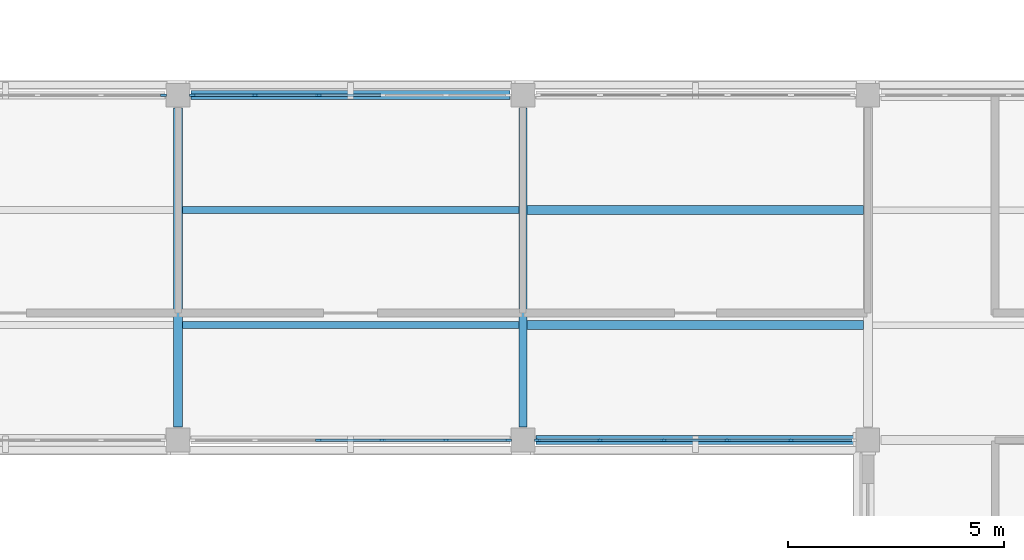
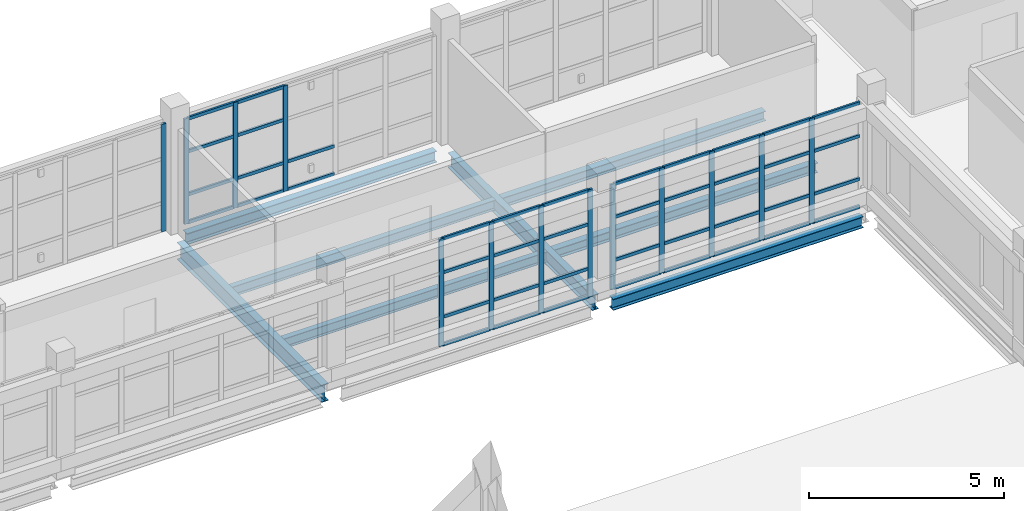
# One storey, part 45 of 107: 55 members, 8 beams, 4 elements without a shape of their own.
"""IFC4 building model written with IfcOpenShell, lengths in metres."""

from ifc_helpers import new_model, si_unit, derived_unit, direction, frame, origin, origin_2d, place, context, subcontext, project, spatial, rectangle, i_section, extrude, material, layer, layer_set, material_profile, profile_set, type_object, element, aggregate, save


model = new_model("IFC4")

# Units and contexts
model_context = context("Model", 3, precision=1e-05, world=origin(), true_north=direction((0.0, 1.0)))
body_context = subcontext(model_context, "Body", "Model", "MODEL_VIEW")
ifc_project = project(units=[si_unit("LENGTHUNIT", "METRE"), si_unit("AREAUNIT", "SQUARE_METRE"), si_unit("VOLUMEUNIT", "CUBIC_METRE"), si_unit("PLANEANGLEUNIT", "RADIAN"), si_unit("MASSUNIT", "GRAM", prefix="KILO"), derived_unit("THERMALTRANSMITTANCEUNIT", [(si_unit("MASSUNIT", "GRAM", prefix="KILO"), 1), (si_unit("TIMEUNIT", "SECOND"), -3), (si_unit("THERMODYNAMICTEMPERATUREUNIT", "KELVIN"), -1)])], contexts=[model_context])

# Site, building, storey
site_placement = place(None, origin())
site = spatial("IfcSite", under=ifc_project, at=site_placement, CompositionType="ELEMENT")
building_placement = place(site_placement, origin())
building = spatial("IfcBuilding", under=site, at=building_placement, Name="Veyamyaing Civic Hall", CompositionType="ELEMENT")
storey_placement = place(building_placement, frame((0.0, 0.0, 13.860107421875)))
storey = spatial("IfcBuildingStorey", under=building, at=storey_placement, Name="L03", CompositionType="ELEMENT", Elevation=13.860107421875)

# Beams
ifc_material_1 = material(Name="Steel ASTM A992", Category="steel")
ifc_material_profile_1 = material_profile(ifc_material_1, i_section(OverallWidth=0.208984375, OverallDepth=0.532958984375, WebThickness=0.01025390625, FlangeThickness=0.015625, FilletRadius=0.011962890625, at=origin_2d()), Name="W530X92")
ifc_profile_set_1 = profile_set([ifc_material_profile_1], Name="Steel ASTM A992")
beam_type_1 = type_object("IfcBeamType", Name="B-07", PredefinedType="BEAM", material=ifc_profile_set_1)
beam_1_placement = place(storey_placement, frame((144.0, 48.300048828125, -0.521728515625), z_axis=(0.0, 1.0, 0.0), x_axis=(-1.0, 0.0, 0.0)))
element("IfcBeam", 1, at=beam_1_placement, inside=storey, type_object=beam_type_1, Name="Girder B-07 L03 Grid 19 G-H", PredefinedType="BEAM", context=body_context, shape_type="SweptSolid", body=[
    extrude(i_section(OverallWidth=0.208984375, OverallDepth=0.532958984375, WebThickness=0.01025390625, FlangeThickness=0.015625, FilletRadius=0.011962890625, at=origin_2d()), origin(), (0.0, 0.0, 1.0), 7.39990234375),
])
ifc_material_profile_2 = material_profile(ifc_material_1, i_section(OverallWidth=0.19189453125, OverallDepth=0.462890625, WebThickness=0.010498046875, FlangeThickness=0.017578125, FilletRadius=0.010009765625, at=origin_2d()), Name="W460X89")
ifc_profile_set_2 = profile_set([ifc_material_profile_2], Name="Steel ASTM A992")
beam_type_2 = type_object("IfcBeamType", Name="B-08", PredefinedType="BEAM", material=ifc_profile_set_2)
beam_2_placement = place(storey_placement, frame((152.0, 48.300048828125, -0.486572265625), z_axis=(0.0, 1.0, 0.0), x_axis=(-1.0, 0.0, 0.0)))
element("IfcBeam", 2, at=beam_2_placement, inside=storey, type_object=beam_type_2, Name="Girder B-08 L03 Grid 20 G-H", PredefinedType="BEAM", context=body_context, shape_type="SweptSolid", body=[
    extrude(i_section(OverallWidth=0.19189453125, OverallDepth=0.462890625, WebThickness=0.010498046875, FlangeThickness=0.017578125, FilletRadius=0.010009765625, at=origin_2d()), origin(), (0.0, 0.0, 1.0), 7.39990234375),
])
ifc_material_profile_3 = material_profile(ifc_material_1, i_section(OverallWidth=0.2041015625, OverallDepth=0.35009765625, WebThickness=0.0078125, FlangeThickness=0.01513671875, FilletRadius=0.010009765625, at=origin_2d()), Name="W360X72")
ifc_profile_set_3 = profile_set([ifc_material_profile_3], Name="Steel ASTM A992")
beam_type_3 = type_object("IfcBeamType", Name="B-11", PredefinedType="SPANDREL", material=ifc_profile_set_3)
for number, where, z_axis, x_axis, name in (
    (3, (152.300048828125, 48.0, -0.43017578125), (1.0, 0.0, 0.0), (0.0, 1.0, 0.0), "Girder B-11 L03 Grid G 20-21"),
    (4, (144.300048828125, 56.0, -0.43017578125), (1.0, 0.0, 0.0), (0.0, 1.0, 0.0), "Girder B-11 L03 Grid H 19-20"),
):
    element("IfcBeam", number, at=place(storey_placement, frame(where, z_axis=z_axis, x_axis=x_axis)), inside=storey, type_object=beam_type_3, Name=name, PredefinedType="SPANDREL", context=body_context, shape_type="SweptSolid", body=[
        extrude(i_section(OverallWidth=0.2041015625, OverallDepth=0.35009765625, WebThickness=0.0078125, FlangeThickness=0.01513671875, FilletRadius=0.010009765625, at=origin_2d()), origin(), (0.0, 0.0, 1.0), 7.39990234375),
    ])

# Curtain wall, member
ifc_material_2 = material(Name="Anodised aluminium 6063-T6", Category="aluminium")
ifc_layer = layer(ifc_material_2, 0.139892578125, Name="Anodised aluminium 6063-T6")
ifc_layer_set = layer_set([ifc_layer], Name="Anodised aluminium 6063-T6")
curtain_wall_type = type_object("IfcCurtainWallType", Name="CW-04", PredefinedType="NOTDEFINED", material=ifc_layer_set)
curtain_wall_1_placement = place(storey_placement, origin())
curtain_wall_1 = element("IfcCurtainWall", 5, at=curtain_wall_1_placement, inside=storey, type_object=curtain_wall_type, Name="Unitized curtain wall CW-04 L03 N 18.7", PredefinedType="NOTDEFINED")
ifc_material_profile_4 = material_profile(ifc_material_2, rectangle(XDim=0.06005859375, YDim=0.139892578125, at=origin_2d()), Name="ALU-MUL-60X140")
ifc_profile_set_4 = profile_set([ifc_material_profile_4], Name="Anodised aluminium 6063-T6")
member_type_1 = type_object("IfcMemberType", Name="CWM-03", PredefinedType="MULLION", material=ifc_profile_set_4)
member_1_placement = place(storey_placement, frame((143.6650390625, 56.0, 0.0), z_axis=(0.0, 0.0, 1.0), x_axis=(0.0, 1.0, 0.0)))
member_1 = element("IfcMember", 6, at=member_1_placement, type_object=member_type_1, Name="CW-04 mullion 6", PredefinedType="MULLION", context=body_context, shape_type="SweptSolid", body=[
    extrude(rectangle(XDim=0.06005859375, YDim=0.139892578125, at=origin_2d()), origin(), (0.0, 0.0, 1.0), 3.366943359375),
])
aggregate(curtain_wall_1, [member_1])

# Curtain wall, members
curtain_wall_2_placement = place(storey_placement, origin())
curtain_wall_2 = element("IfcCurtainWall", 7, at=curtain_wall_2_placement, inside=storey, type_object=curtain_wall_type, Name="Unitized curtain wall CW-04 L03 S 19.7", PredefinedType="NOTDEFINED")
member_2_placement = place(storey_placement, frame((147.260986328125, 48.0, 0.0), z_axis=(0.0, 0.0, 1.0), x_axis=(0.0, 1.0, 0.0)))
member_2 = element("IfcMember", 8, at=member_2_placement, type_object=member_type_1, Name="CW-04 mullion 3", PredefinedType="MULLION", context=body_context, shape_type="SweptSolid", body=[
    extrude(rectangle(XDim=0.06005859375, YDim=0.139892578125, at=origin_2d()), origin(), (0.0, 0.0, 1.0), 3.366943359375),
])
member_3_placement = place(storey_placement, frame((148.739013671875, 48.0, 0.0), z_axis=(0.0, 0.0, 1.0), x_axis=(0.0, 1.0, 0.0)))
member_3 = element("IfcMember", 9, at=member_3_placement, type_object=member_type_1, Name="CW-04 mullion 4", PredefinedType="MULLION", context=body_context, shape_type="SweptSolid", body=[
    extrude(rectangle(XDim=0.06005859375, YDim=0.139892578125, at=origin_2d()), origin(), (0.0, 0.0, 1.0), 3.366943359375),
])
member_4_placement = place(storey_placement, frame((150.217041015625, 48.0, 0.0), z_axis=(0.0, 0.0, 1.0), x_axis=(0.0, 1.0, 0.0)))
member_4 = element("IfcMember", 10, at=member_4_placement, type_object=member_type_1, Name="CW-04 mullion 5", PredefinedType="MULLION", context=body_context, shape_type="SweptSolid", body=[
    extrude(rectangle(XDim=0.06005859375, YDim=0.139892578125, at=origin_2d()), origin(), (0.0, 0.0, 1.0), 3.366943359375),
])
member_5_placement = place(storey_placement, frame((151.6650390625, 48.0, 0.0), z_axis=(0.0, 0.0, 1.0), x_axis=(0.0, 1.0, 0.0)))
member_5 = element("IfcMember", 11, at=member_5_placement, type_object=member_type_1, Name="CW-04 mullion 6", PredefinedType="MULLION", context=body_context, shape_type="SweptSolid", body=[
    extrude(rectangle(XDim=0.06005859375, YDim=0.139892578125, at=origin_2d()), origin(), (0.0, 0.0, 1.0), 3.366943359375),
])

curtain_wall_3_placement = place(storey_placement, origin())
curtain_wall_3 = element("IfcCurtainWall", 12, at=curtain_wall_3_placement, inside=storey, type_object=curtain_wall_type, Name="Unitized curtain wall CW-04 L03 N 19.7", PredefinedType="NOTDEFINED")
member_6_placement = place(storey_placement, frame((144.3349609375, 56.0, 0.0), z_axis=(0.0, 0.0, 1.0), x_axis=(0.0, 1.0, 0.0)))
member_6 = element("IfcMember", 13, at=member_6_placement, type_object=member_type_1, Name="CW-04 mullion 1", PredefinedType="MULLION", context=body_context, shape_type="SweptSolid", body=[
    extrude(rectangle(XDim=0.06005859375, YDim=0.139892578125, at=origin_2d()), origin(), (0.0, 0.0, 1.0), 3.2998046875),
])
member_7_placement = place(storey_placement, frame((145.782958984375, 56.0, 0.0), z_axis=(0.0, 0.0, 1.0), x_axis=(0.0, 1.0, 0.0)))
member_7 = element("IfcMember", 14, at=member_7_placement, type_object=member_type_1, Name="CW-04 mullion 2", PredefinedType="MULLION", context=body_context, shape_type="SweptSolid", body=[
    extrude(rectangle(XDim=0.06005859375, YDim=0.139892578125, at=origin_2d()), origin(), (0.0, 0.0, 1.0), 3.2998046875),
])
member_8_placement = place(storey_placement, frame((147.260986328125, 56.0, 0.0), z_axis=(0.0, 0.0, 1.0), x_axis=(0.0, 1.0, 0.0)))
member_8 = element("IfcMember", 15, at=member_8_placement, type_object=member_type_1, Name="CW-04 mullion 3", PredefinedType="MULLION", context=body_context, shape_type="SweptSolid", body=[
    extrude(rectangle(XDim=0.06005859375, YDim=0.139892578125, at=origin_2d()), origin(), (0.0, 0.0, 1.0), 3.2998046875),
])

curtain_wall_4_placement = place(storey_placement, origin())
curtain_wall_4 = element("IfcCurtainWall", 16, at=curtain_wall_4_placement, inside=storey, type_object=curtain_wall_type, Name="Unitized curtain wall CW-04 L03 S 20.7", PredefinedType="NOTDEFINED")
member_9_placement = place(storey_placement, frame((152.3349609375, 48.0, 0.0), z_axis=(0.0, 0.0, 1.0), x_axis=(0.0, 1.0, 0.0)))
member_9 = element("IfcMember", 17, at=member_9_placement, type_object=member_type_1, Name="CW-04 mullion 1", PredefinedType="MULLION", context=body_context, shape_type="SweptSolid", body=[
    extrude(rectangle(XDim=0.06005859375, YDim=0.139892578125, at=origin_2d()), origin(), (0.0, 0.0, 1.0), 3.2998046875),
])
member_10_placement = place(storey_placement, frame((153.782958984375, 48.0, 0.0), z_axis=(0.0, 0.0, 1.0), x_axis=(0.0, 1.0, 0.0)))
member_10 = element("IfcMember", 18, at=member_10_placement, type_object=member_type_1, Name="CW-04 mullion 2", PredefinedType="MULLION", context=body_context, shape_type="SweptSolid", body=[
    extrude(rectangle(XDim=0.06005859375, YDim=0.139892578125, at=origin_2d()), origin(), (0.0, 0.0, 1.0), 3.2998046875),
])
member_11_placement = place(storey_placement, frame((155.260986328125, 48.0, 0.0), z_axis=(0.0, 0.0, 1.0), x_axis=(0.0, 1.0, 0.0)))
member_11 = element("IfcMember", 19, at=member_11_placement, type_object=member_type_1, Name="CW-04 mullion 3", PredefinedType="MULLION", context=body_context, shape_type="SweptSolid", body=[
    extrude(rectangle(XDim=0.06005859375, YDim=0.139892578125, at=origin_2d()), origin(), (0.0, 0.0, 1.0), 3.2998046875),
])
member_12_placement = place(storey_placement, frame((156.739013671875, 48.0, 0.0), z_axis=(0.0, 0.0, 1.0), x_axis=(0.0, 1.0, 0.0)))
member_12 = element("IfcMember", 20, at=member_12_placement, type_object=member_type_1, Name="CW-04 mullion 4", PredefinedType="MULLION", context=body_context, shape_type="SweptSolid", body=[
    extrude(rectangle(XDim=0.06005859375, YDim=0.139892578125, at=origin_2d()), origin(), (0.0, 0.0, 1.0), 3.2998046875),
])
member_13_placement = place(storey_placement, frame((158.217041015625, 48.0, 0.0), z_axis=(0.0, 0.0, 1.0), x_axis=(0.0, 1.0, 0.0)))
member_13 = element("IfcMember", 21, at=member_13_placement, type_object=member_type_1, Name="CW-04 mullion 5", PredefinedType="MULLION", context=body_context, shape_type="SweptSolid", body=[
    extrude(rectangle(XDim=0.06005859375, YDim=0.139892578125, at=origin_2d()), origin(), (0.0, 0.0, 1.0), 3.2998046875),
])

# Member
ifc_material_profile_5 = material_profile(ifc_material_2, rectangle(XDim=0.06005859375, YDim=0.10009765625, at=origin_2d()), Name="ALU-TRN-60X100")
ifc_profile_set_5 = profile_set([ifc_material_profile_5], Name="Anodised aluminium 6063-T6")
member_type_2 = type_object("IfcMemberType", Name="CWT-03", PredefinedType="USERDEFINED", material=ifc_profile_set_5)
member_14_placement = place(storey_placement, frame((147.291015625, 48.0, 0.02978515625), z_axis=(1.0, 0.0, 0.0), x_axis=(0.0, 1.0, 0.0)))
member_14 = element("IfcMember", 22, at=member_14_placement, type_object=member_type_2, Name="CW-04 transom 3.1", ObjectType="TRANSOM", PredefinedType="USERDEFINED", context=body_context, shape_type="SweptSolid", body=[
    extrude(rectangle(XDim=0.06005859375, YDim=0.10009765625, at=origin_2d()), origin(), (0.0, 0.0, 1.0), 1.41796875),
])

member_15_placement = place(storey_placement, frame((147.291015625, 48.0, 0.89990234375), z_axis=(1.0, 0.0, 0.0), x_axis=(0.0, 1.0, 0.0)))
member_15 = element("IfcMember", 23, at=member_15_placement, type_object=member_type_2, Name="CW-04 transom 3.2", ObjectType="TRANSOM", PredefinedType="USERDEFINED", context=body_context, shape_type="SweptSolid", body=[
    extrude(rectangle(XDim=0.06005859375, YDim=0.10009765625, at=origin_2d()), origin(), (0.0, 0.0, 1.0), 1.41796875),
])

member_16_placement = place(storey_placement, frame((147.291015625, 48.0, 2.28955078125), z_axis=(1.0, 0.0, 0.0), x_axis=(0.0, 1.0, 0.0)))
member_16 = element("IfcMember", 24, at=member_16_placement, type_object=member_type_2, Name="CW-04 transom 3.3", ObjectType="TRANSOM", PredefinedType="USERDEFINED", context=body_context, shape_type="SweptSolid", body=[
    extrude(rectangle(XDim=0.06005859375, YDim=0.10009765625, at=origin_2d()), origin(), (0.0, 0.0, 1.0), 1.41796875),
])

member_17_placement = place(storey_placement, frame((147.291015625, 48.0, 3.3369140625), z_axis=(1.0, 0.0, 0.0), x_axis=(0.0, 1.0, 0.0)))
member_17 = element("IfcMember", 25, at=member_17_placement, type_object=member_type_2, Name="CW-04 transom 3.4", ObjectType="TRANSOM", PredefinedType="USERDEFINED", context=body_context, shape_type="SweptSolid", body=[
    extrude(rectangle(XDim=0.06005859375, YDim=0.10009765625, at=origin_2d()), origin(), (0.0, 0.0, 1.0), 1.41796875),
])

member_18_placement = place(storey_placement, frame((148.76904296875, 48.0, 0.02978515625), z_axis=(1.0, 0.0, 0.0), x_axis=(0.0, 1.0, 0.0)))
member_18 = element("IfcMember", 26, at=member_18_placement, type_object=member_type_2, Name="CW-04 transom 4.1", ObjectType="TRANSOM", PredefinedType="USERDEFINED", context=body_context, shape_type="SweptSolid", body=[
    extrude(rectangle(XDim=0.06005859375, YDim=0.10009765625, at=origin_2d()), origin(), (0.0, 0.0, 1.0), 1.41796875),
])

member_19_placement = place(storey_placement, frame((148.76904296875, 48.0, 0.89990234375), z_axis=(1.0, 0.0, 0.0), x_axis=(0.0, 1.0, 0.0)))
member_19 = element("IfcMember", 27, at=member_19_placement, type_object=member_type_2, Name="CW-04 transom 4.2", ObjectType="TRANSOM", PredefinedType="USERDEFINED", context=body_context, shape_type="SweptSolid", body=[
    extrude(rectangle(XDim=0.06005859375, YDim=0.10009765625, at=origin_2d()), origin(), (0.0, 0.0, 1.0), 1.41796875),
])

member_20_placement = place(storey_placement, frame((148.76904296875, 48.0, 2.28955078125), z_axis=(1.0, 0.0, 0.0), x_axis=(0.0, 1.0, 0.0)))
member_20 = element("IfcMember", 28, at=member_20_placement, type_object=member_type_2, Name="CW-04 transom 4.3", ObjectType="TRANSOM", PredefinedType="USERDEFINED", context=body_context, shape_type="SweptSolid", body=[
    extrude(rectangle(XDim=0.06005859375, YDim=0.10009765625, at=origin_2d()), origin(), (0.0, 0.0, 1.0), 1.41796875),
])

member_21_placement = place(storey_placement, frame((148.76904296875, 48.0, 3.3369140625), z_axis=(1.0, 0.0, 0.0), x_axis=(0.0, 1.0, 0.0)))
member_21 = element("IfcMember", 29, at=member_21_placement, type_object=member_type_2, Name="CW-04 transom 4.4", ObjectType="TRANSOM", PredefinedType="USERDEFINED", context=body_context, shape_type="SweptSolid", body=[
    extrude(rectangle(XDim=0.06005859375, YDim=0.10009765625, at=origin_2d()), origin(), (0.0, 0.0, 1.0), 1.41796875),
])

member_22_placement = place(storey_placement, frame((150.2470703125, 48.0, 0.02978515625), z_axis=(1.0, 0.0, 0.0), x_axis=(0.0, 1.0, 0.0)))
member_22 = element("IfcMember", 30, at=member_22_placement, type_object=member_type_2, Name="CW-04 transom 5.1", ObjectType="TRANSOM", PredefinedType="USERDEFINED", context=body_context, shape_type="SweptSolid", body=[
    extrude(rectangle(XDim=0.06005859375, YDim=0.10009765625, at=origin_2d()), origin(), (0.0, 0.0, 1.0), 1.387939453125),
])

member_23_placement = place(storey_placement, frame((150.2470703125, 48.0, 0.89990234375), z_axis=(1.0, 0.0, 0.0), x_axis=(0.0, 1.0, 0.0)))
member_23 = element("IfcMember", 31, at=member_23_placement, type_object=member_type_2, Name="CW-04 transom 5.2", ObjectType="TRANSOM", PredefinedType="USERDEFINED", context=body_context, shape_type="SweptSolid", body=[
    extrude(rectangle(XDim=0.06005859375, YDim=0.10009765625, at=origin_2d()), origin(), (0.0, 0.0, 1.0), 1.387939453125),
])

member_24_placement = place(storey_placement, frame((150.2470703125, 48.0, 2.28955078125), z_axis=(1.0, 0.0, 0.0), x_axis=(0.0, 1.0, 0.0)))
member_24 = element("IfcMember", 32, at=member_24_placement, type_object=member_type_2, Name="CW-04 transom 5.3", ObjectType="TRANSOM", PredefinedType="USERDEFINED", context=body_context, shape_type="SweptSolid", body=[
    extrude(rectangle(XDim=0.06005859375, YDim=0.10009765625, at=origin_2d()), origin(), (0.0, 0.0, 1.0), 1.387939453125),
])

member_25_placement = place(storey_placement, frame((150.2470703125, 48.0, 3.3369140625), z_axis=(1.0, 0.0, 0.0), x_axis=(0.0, 1.0, 0.0)))
member_25 = element("IfcMember", 33, at=member_25_placement, type_object=member_type_2, Name="CW-04 transom 5.4", ObjectType="TRANSOM", PredefinedType="USERDEFINED", context=body_context, shape_type="SweptSolid", body=[
    extrude(rectangle(XDim=0.06005859375, YDim=0.10009765625, at=origin_2d()), origin(), (0.0, 0.0, 1.0), 1.387939453125),
])

aggregate(curtain_wall_2, [member_2, member_3, member_4, member_5, member_14, member_15, member_16, member_17, member_18, member_19, member_20, member_21, member_22, member_23, member_24, member_25])

member_26_placement = place(storey_placement, frame((144.364990234375, 56.0, 0.02978515625), z_axis=(1.0, 0.0, 0.0), x_axis=(0.0, 1.0, 0.0)))
member_26 = element("IfcMember", 34, at=member_26_placement, type_object=member_type_2, Name="CW-04 transom 1.1", ObjectType="TRANSOM", PredefinedType="USERDEFINED", context=body_context, shape_type="SweptSolid", body=[
    extrude(rectangle(XDim=0.06005859375, YDim=0.10009765625, at=origin_2d()), origin(), (0.0, 0.0, 1.0), 1.387939453125),
])

member_27_placement = place(storey_placement, frame((144.364990234375, 56.0, 0.89990234375), z_axis=(1.0, 0.0, 0.0), x_axis=(0.0, 1.0, 0.0)))
member_27 = element("IfcMember", 35, at=member_27_placement, type_object=member_type_2, Name="CW-04 transom 1.2", ObjectType="TRANSOM", PredefinedType="USERDEFINED", context=body_context, shape_type="SweptSolid", body=[
    extrude(rectangle(XDim=0.06005859375, YDim=0.10009765625, at=origin_2d()), origin(), (0.0, 0.0, 1.0), 1.387939453125),
])

member_28_placement = place(storey_placement, frame((144.364990234375, 56.0, 2.243896484375), z_axis=(1.0, 0.0, 0.0), x_axis=(0.0, 1.0, 0.0)))
member_28 = element("IfcMember", 36, at=member_28_placement, type_object=member_type_2, Name="CW-04 transom 1.3", ObjectType="TRANSOM", PredefinedType="USERDEFINED", context=body_context, shape_type="SweptSolid", body=[
    extrude(rectangle(XDim=0.06005859375, YDim=0.10009765625, at=origin_2d()), origin(), (0.0, 0.0, 1.0), 1.387939453125),
])

member_29_placement = place(storey_placement, frame((144.364990234375, 56.0, 3.269775390625), z_axis=(1.0, 0.0, 0.0), x_axis=(0.0, 1.0, 0.0)))
member_29 = element("IfcMember", 37, at=member_29_placement, type_object=member_type_2, Name="CW-04 transom 1.4", ObjectType="TRANSOM", PredefinedType="USERDEFINED", context=body_context, shape_type="SweptSolid", body=[
    extrude(rectangle(XDim=0.06005859375, YDim=0.10009765625, at=origin_2d()), origin(), (0.0, 0.0, 1.0), 1.387939453125),
])

member_30_placement = place(storey_placement, frame((145.81298828125, 56.0, 0.02978515625), z_axis=(1.0, 0.0, 0.0), x_axis=(0.0, 1.0, 0.0)))
member_30 = element("IfcMember", 38, at=member_30_placement, type_object=member_type_2, Name="CW-04 transom 2.1", ObjectType="TRANSOM", PredefinedType="USERDEFINED", context=body_context, shape_type="SweptSolid", body=[
    extrude(rectangle(XDim=0.06005859375, YDim=0.10009765625, at=origin_2d()), origin(), (0.0, 0.0, 1.0), 1.41796875),
])

member_31_placement = place(storey_placement, frame((145.81298828125, 56.0, 0.89990234375), z_axis=(1.0, 0.0, 0.0), x_axis=(0.0, 1.0, 0.0)))
member_31 = element("IfcMember", 39, at=member_31_placement, type_object=member_type_2, Name="CW-04 transom 2.2", ObjectType="TRANSOM", PredefinedType="USERDEFINED", context=body_context, shape_type="SweptSolid", body=[
    extrude(rectangle(XDim=0.06005859375, YDim=0.10009765625, at=origin_2d()), origin(), (0.0, 0.0, 1.0), 1.41796875),
])

member_32_placement = place(storey_placement, frame((145.81298828125, 56.0, 2.243896484375), z_axis=(1.0, 0.0, 0.0), x_axis=(0.0, 1.0, 0.0)))
member_32 = element("IfcMember", 40, at=member_32_placement, type_object=member_type_2, Name="CW-04 transom 2.3", ObjectType="TRANSOM", PredefinedType="USERDEFINED", context=body_context, shape_type="SweptSolid", body=[
    extrude(rectangle(XDim=0.06005859375, YDim=0.10009765625, at=origin_2d()), origin(), (0.0, 0.0, 1.0), 1.41796875),
])

member_33_placement = place(storey_placement, frame((145.81298828125, 56.0, 3.269775390625), z_axis=(1.0, 0.0, 0.0), x_axis=(0.0, 1.0, 0.0)))
member_33 = element("IfcMember", 41, at=member_33_placement, type_object=member_type_2, Name="CW-04 transom 2.4", ObjectType="TRANSOM", PredefinedType="USERDEFINED", context=body_context, shape_type="SweptSolid", body=[
    extrude(rectangle(XDim=0.06005859375, YDim=0.10009765625, at=origin_2d()), origin(), (0.0, 0.0, 1.0), 1.41796875),
])

member_34_placement = place(storey_placement, frame((147.291015625, 56.0, 0.02978515625), z_axis=(1.0, 0.0, 0.0), x_axis=(0.0, 1.0, 0.0)))
member_34 = element("IfcMember", 42, at=member_34_placement, type_object=member_type_2, Name="CW-04 transom 3.1", ObjectType="TRANSOM", PredefinedType="USERDEFINED", context=body_context, shape_type="SweptSolid", body=[
    extrude(rectangle(XDim=0.06005859375, YDim=0.10009765625, at=origin_2d()), origin(), (0.0, 0.0, 1.0), 1.41796875),
])

member_35_placement = place(storey_placement, frame((147.291015625, 56.0, 0.89990234375), z_axis=(1.0, 0.0, 0.0), x_axis=(0.0, 1.0, 0.0)))
member_35 = element("IfcMember", 43, at=member_35_placement, type_object=member_type_2, Name="CW-04 transom 3.2", ObjectType="TRANSOM", PredefinedType="USERDEFINED", context=body_context, shape_type="SweptSolid", body=[
    extrude(rectangle(XDim=0.06005859375, YDim=0.10009765625, at=origin_2d()), origin(), (0.0, 0.0, 1.0), 1.41796875),
])

aggregate(curtain_wall_3, [member_6, member_7, member_8, member_26, member_27, member_28, member_29, member_30, member_31, member_32, member_33, member_34, member_35])

member_36_placement = place(storey_placement, frame((152.364990234375, 48.0, 0.02978515625), z_axis=(1.0, 0.0, 0.0), x_axis=(0.0, 1.0, 0.0)))
member_36 = element("IfcMember", 44, at=member_36_placement, type_object=member_type_2, Name="CW-04 transom 1.1", ObjectType="TRANSOM", PredefinedType="USERDEFINED", context=body_context, shape_type="SweptSolid", body=[
    extrude(rectangle(XDim=0.06005859375, YDim=0.10009765625, at=origin_2d()), origin(), (0.0, 0.0, 1.0), 1.387939453125),
])

member_37_placement = place(storey_placement, frame((152.364990234375, 48.0, 0.89990234375), z_axis=(1.0, 0.0, 0.0), x_axis=(0.0, 1.0, 0.0)))
member_37 = element("IfcMember", 45, at=member_37_placement, type_object=member_type_2, Name="CW-04 transom 1.2", ObjectType="TRANSOM", PredefinedType="USERDEFINED", context=body_context, shape_type="SweptSolid", body=[
    extrude(rectangle(XDim=0.06005859375, YDim=0.10009765625, at=origin_2d()), origin(), (0.0, 0.0, 1.0), 1.387939453125),
])

member_38_placement = place(storey_placement, frame((152.364990234375, 48.0, 2.243896484375), z_axis=(1.0, 0.0, 0.0), x_axis=(0.0, 1.0, 0.0)))
member_38 = element("IfcMember", 46, at=member_38_placement, type_object=member_type_2, Name="CW-04 transom 1.3", ObjectType="TRANSOM", PredefinedType="USERDEFINED", context=body_context, shape_type="SweptSolid", body=[
    extrude(rectangle(XDim=0.06005859375, YDim=0.10009765625, at=origin_2d()), origin(), (0.0, 0.0, 1.0), 1.387939453125),
])

member_39_placement = place(storey_placement, frame((152.364990234375, 48.0, 3.269775390625), z_axis=(1.0, 0.0, 0.0), x_axis=(0.0, 1.0, 0.0)))
member_39 = element("IfcMember", 47, at=member_39_placement, type_object=member_type_2, Name="CW-04 transom 1.4", ObjectType="TRANSOM", PredefinedType="USERDEFINED", context=body_context, shape_type="SweptSolid", body=[
    extrude(rectangle(XDim=0.06005859375, YDim=0.10009765625, at=origin_2d()), origin(), (0.0, 0.0, 1.0), 1.387939453125),
])

member_40_placement = place(storey_placement, frame((153.81298828125, 48.0, 0.02978515625), z_axis=(1.0, 0.0, 0.0), x_axis=(0.0, 1.0, 0.0)))
member_40 = element("IfcMember", 48, at=member_40_placement, type_object=member_type_2, Name="CW-04 transom 2.1", ObjectType="TRANSOM", PredefinedType="USERDEFINED", context=body_context, shape_type="SweptSolid", body=[
    extrude(rectangle(XDim=0.06005859375, YDim=0.10009765625, at=origin_2d()), origin(), (0.0, 0.0, 1.0), 1.41796875),
])

member_41_placement = place(storey_placement, frame((153.81298828125, 48.0, 0.89990234375), z_axis=(1.0, 0.0, 0.0), x_axis=(0.0, 1.0, 0.0)))
member_41 = element("IfcMember", 49, at=member_41_placement, type_object=member_type_2, Name="CW-04 transom 2.2", ObjectType="TRANSOM", PredefinedType="USERDEFINED", context=body_context, shape_type="SweptSolid", body=[
    extrude(rectangle(XDim=0.06005859375, YDim=0.10009765625, at=origin_2d()), origin(), (0.0, 0.0, 1.0), 1.41796875),
])

member_42_placement = place(storey_placement, frame((153.81298828125, 48.0, 2.243896484375), z_axis=(1.0, 0.0, 0.0), x_axis=(0.0, 1.0, 0.0)))
member_42 = element("IfcMember", 50, at=member_42_placement, type_object=member_type_2, Name="CW-04 transom 2.3", ObjectType="TRANSOM", PredefinedType="USERDEFINED", context=body_context, shape_type="SweptSolid", body=[
    extrude(rectangle(XDim=0.06005859375, YDim=0.10009765625, at=origin_2d()), origin(), (0.0, 0.0, 1.0), 1.41796875),
])

member_43_placement = place(storey_placement, frame((153.81298828125, 48.0, 3.269775390625), z_axis=(1.0, 0.0, 0.0), x_axis=(0.0, 1.0, 0.0)))
member_43 = element("IfcMember", 51, at=member_43_placement, type_object=member_type_2, Name="CW-04 transom 2.4", ObjectType="TRANSOM", PredefinedType="USERDEFINED", context=body_context, shape_type="SweptSolid", body=[
    extrude(rectangle(XDim=0.06005859375, YDim=0.10009765625, at=origin_2d()), origin(), (0.0, 0.0, 1.0), 1.41796875),
])

member_44_placement = place(storey_placement, frame((155.291015625, 48.0, 0.02978515625), z_axis=(1.0, 0.0, 0.0), x_axis=(0.0, 1.0, 0.0)))
member_44 = element("IfcMember", 52, at=member_44_placement, type_object=member_type_2, Name="CW-04 transom 3.1", ObjectType="TRANSOM", PredefinedType="USERDEFINED", context=body_context, shape_type="SweptSolid", body=[
    extrude(rectangle(XDim=0.06005859375, YDim=0.10009765625, at=origin_2d()), origin(), (0.0, 0.0, 1.0), 1.41796875),
])

member_45_placement = place(storey_placement, frame((155.291015625, 48.0, 0.89990234375), z_axis=(1.0, 0.0, 0.0), x_axis=(0.0, 1.0, 0.0)))
member_45 = element("IfcMember", 53, at=member_45_placement, type_object=member_type_2, Name="CW-04 transom 3.2", ObjectType="TRANSOM", PredefinedType="USERDEFINED", context=body_context, shape_type="SweptSolid", body=[
    extrude(rectangle(XDim=0.06005859375, YDim=0.10009765625, at=origin_2d()), origin(), (0.0, 0.0, 1.0), 1.41796875),
])

member_46_placement = place(storey_placement, frame((155.291015625, 48.0, 2.243896484375), z_axis=(1.0, 0.0, 0.0), x_axis=(0.0, 1.0, 0.0)))
member_46 = element("IfcMember", 54, at=member_46_placement, type_object=member_type_2, Name="CW-04 transom 3.3", ObjectType="TRANSOM", PredefinedType="USERDEFINED", context=body_context, shape_type="SweptSolid", body=[
    extrude(rectangle(XDim=0.06005859375, YDim=0.10009765625, at=origin_2d()), origin(), (0.0, 0.0, 1.0), 1.41796875),
])

member_47_placement = place(storey_placement, frame((155.291015625, 48.0, 3.269775390625), z_axis=(1.0, 0.0, 0.0), x_axis=(0.0, 1.0, 0.0)))
member_47 = element("IfcMember", 55, at=member_47_placement, type_object=member_type_2, Name="CW-04 transom 3.4", ObjectType="TRANSOM", PredefinedType="USERDEFINED", context=body_context, shape_type="SweptSolid", body=[
    extrude(rectangle(XDim=0.06005859375, YDim=0.10009765625, at=origin_2d()), origin(), (0.0, 0.0, 1.0), 1.41796875),
])

member_48_placement = place(storey_placement, frame((156.76904296875, 48.0, 0.02978515625), z_axis=(1.0, 0.0, 0.0), x_axis=(0.0, 1.0, 0.0)))
member_48 = element("IfcMember", 56, at=member_48_placement, type_object=member_type_2, Name="CW-04 transom 4.1", ObjectType="TRANSOM", PredefinedType="USERDEFINED", context=body_context, shape_type="SweptSolid", body=[
    extrude(rectangle(XDim=0.06005859375, YDim=0.10009765625, at=origin_2d()), origin(), (0.0, 0.0, 1.0), 1.41796875),
])

member_49_placement = place(storey_placement, frame((156.76904296875, 48.0, 0.89990234375), z_axis=(1.0, 0.0, 0.0), x_axis=(0.0, 1.0, 0.0)))
member_49 = element("IfcMember", 57, at=member_49_placement, type_object=member_type_2, Name="CW-04 transom 4.2", ObjectType="TRANSOM", PredefinedType="USERDEFINED", context=body_context, shape_type="SweptSolid", body=[
    extrude(rectangle(XDim=0.06005859375, YDim=0.10009765625, at=origin_2d()), origin(), (0.0, 0.0, 1.0), 1.41796875),
])

member_50_placement = place(storey_placement, frame((156.76904296875, 48.0, 2.243896484375), z_axis=(1.0, 0.0, 0.0), x_axis=(0.0, 1.0, 0.0)))
member_50 = element("IfcMember", 58, at=member_50_placement, type_object=member_type_2, Name="CW-04 transom 4.3", ObjectType="TRANSOM", PredefinedType="USERDEFINED", context=body_context, shape_type="SweptSolid", body=[
    extrude(rectangle(XDim=0.06005859375, YDim=0.10009765625, at=origin_2d()), origin(), (0.0, 0.0, 1.0), 1.41796875),
])

member_51_placement = place(storey_placement, frame((156.76904296875, 48.0, 3.269775390625), z_axis=(1.0, 0.0, 0.0), x_axis=(0.0, 1.0, 0.0)))
member_51 = element("IfcMember", 59, at=member_51_placement, type_object=member_type_2, Name="CW-04 transom 4.4", ObjectType="TRANSOM", PredefinedType="USERDEFINED", context=body_context, shape_type="SweptSolid", body=[
    extrude(rectangle(XDim=0.06005859375, YDim=0.10009765625, at=origin_2d()), origin(), (0.0, 0.0, 1.0), 1.41796875),
])

member_52_placement = place(storey_placement, frame((158.2470703125, 48.0, 0.02978515625), z_axis=(1.0, 0.0, 0.0), x_axis=(0.0, 1.0, 0.0)))
member_52 = element("IfcMember", 60, at=member_52_placement, type_object=member_type_2, Name="CW-04 transom 5.1", ObjectType="TRANSOM", PredefinedType="USERDEFINED", context=body_context, shape_type="SweptSolid", body=[
    extrude(rectangle(XDim=0.06005859375, YDim=0.10009765625, at=origin_2d()), origin(), (0.0, 0.0, 1.0), 1.387939453125),
])

member_53_placement = place(storey_placement, frame((158.2470703125, 48.0, 0.89990234375), z_axis=(1.0, 0.0, 0.0), x_axis=(0.0, 1.0, 0.0)))
member_53 = element("IfcMember", 61, at=member_53_placement, type_object=member_type_2, Name="CW-04 transom 5.2", ObjectType="TRANSOM", PredefinedType="USERDEFINED", context=body_context, shape_type="SweptSolid", body=[
    extrude(rectangle(XDim=0.06005859375, YDim=0.10009765625, at=origin_2d()), origin(), (0.0, 0.0, 1.0), 1.387939453125),
])

member_54_placement = place(storey_placement, frame((158.2470703125, 48.0, 2.243896484375), z_axis=(1.0, 0.0, 0.0), x_axis=(0.0, 1.0, 0.0)))
member_54 = element("IfcMember", 62, at=member_54_placement, type_object=member_type_2, Name="CW-04 transom 5.3", ObjectType="TRANSOM", PredefinedType="USERDEFINED", context=body_context, shape_type="SweptSolid", body=[
    extrude(rectangle(XDim=0.06005859375, YDim=0.10009765625, at=origin_2d()), origin(), (0.0, 0.0, 1.0), 1.387939453125),
])

member_55_placement = place(storey_placement, frame((158.2470703125, 48.0, 3.269775390625), z_axis=(1.0, 0.0, 0.0), x_axis=(0.0, 1.0, 0.0)))
member_55 = element("IfcMember", 63, at=member_55_placement, type_object=member_type_2, Name="CW-04 transom 5.4", ObjectType="TRANSOM", PredefinedType="USERDEFINED", context=body_context, shape_type="SweptSolid", body=[
    extrude(rectangle(XDim=0.06005859375, YDim=0.10009765625, at=origin_2d()), origin(), (0.0, 0.0, 1.0), 1.387939453125),
])

aggregate(curtain_wall_4, [member_9, member_10, member_11, member_12, member_13, member_36, member_37, member_38, member_39, member_40, member_41, member_42, member_43, member_44, member_45, member_46, member_47, member_48, member_49, member_50, member_51, member_52, member_53, member_54, member_55])

# Beams
ifc_material_profile_6 = material_profile(ifc_material_1, i_section(OverallWidth=0.1650390625, OverallDepth=0.31005859375, WebThickness=0.005859375, FlangeThickness=0.009765625, FilletRadius=0.010009765625, at=origin_2d()), Name="W310X39")
ifc_profile_set_6 = profile_set([ifc_material_profile_6], Name="Steel ASTM A992")
beam_type_4 = type_object("IfcBeamType", Name="J-05", PredefinedType="JOIST", material=ifc_profile_set_6)
for number, where, z_axis, x_axis, name in (
    (64, (144.1025390625, 50.666748046875, -0.41015625), (1.0, 0.0, 0.0), (0.0, 1.0, 0.0), "Composite floor joist J-05 L03 19.7.1"),
    (65, (144.1025390625, 53.333251953125, -0.41015625), (1.0, 0.0, 0.0), (0.0, 1.0, 0.0), "Composite floor joist J-05 L03 19.7.2"),
):
    element("IfcBeam", number, at=place(storey_placement, frame(where, z_axis=z_axis, x_axis=x_axis)), inside=storey, type_object=beam_type_4, Name=name, PredefinedType="JOIST", context=body_context, shape_type="SweptSolid", body=[
        extrude(i_section(OverallWidth=0.1650390625, OverallDepth=0.31005859375, WebThickness=0.005859375, FlangeThickness=0.009765625, FilletRadius=0.010009765625, at=origin_2d()), origin(), (0.0, 0.0, 1.0), 7.803466796875),
    ])
ifc_material_profile_7 = material_profile(ifc_material_1, i_section(OverallWidth=0.2041015625, OverallDepth=0.305908203125, WebThickness=0.008544921875, FlangeThickness=0.0146484375, FilletRadius=0.010009765625, at=origin_2d()), Name="W310X67")
ifc_profile_set_7 = profile_set([ifc_material_profile_7], Name="Steel ASTM A992")
beam_type_5 = type_object("IfcBeamType", Name="J-06", PredefinedType="JOIST", material=ifc_profile_set_7)
for number, where, z_axis, x_axis, name in (
    (66, (152.093994140625, 50.666748046875, -0.408203125), (1.0, 0.0, 0.0), (0.0, 1.0, 0.0), "Composite floor joist J-06 L03 20.7.1"),
    (67, (152.093994140625, 53.333251953125, -0.408203125), (1.0, 0.0, 0.0), (0.0, 1.0, 0.0), "Composite floor joist J-06 L03 20.7.2"),
):
    element("IfcBeam", number, at=place(storey_placement, frame(where, z_axis=z_axis, x_axis=x_axis)), inside=storey, type_object=beam_type_5, Name=name, PredefinedType="JOIST", context=body_context, shape_type="SweptSolid", body=[
        extrude(i_section(OverallWidth=0.2041015625, OverallDepth=0.305908203125, WebThickness=0.008544921875, FlangeThickness=0.0146484375, FilletRadius=0.010009765625, at=origin_2d()), origin(), (0.0, 0.0, 1.0), 7.802490234375),
    ])

save(model, "model.ifc")
